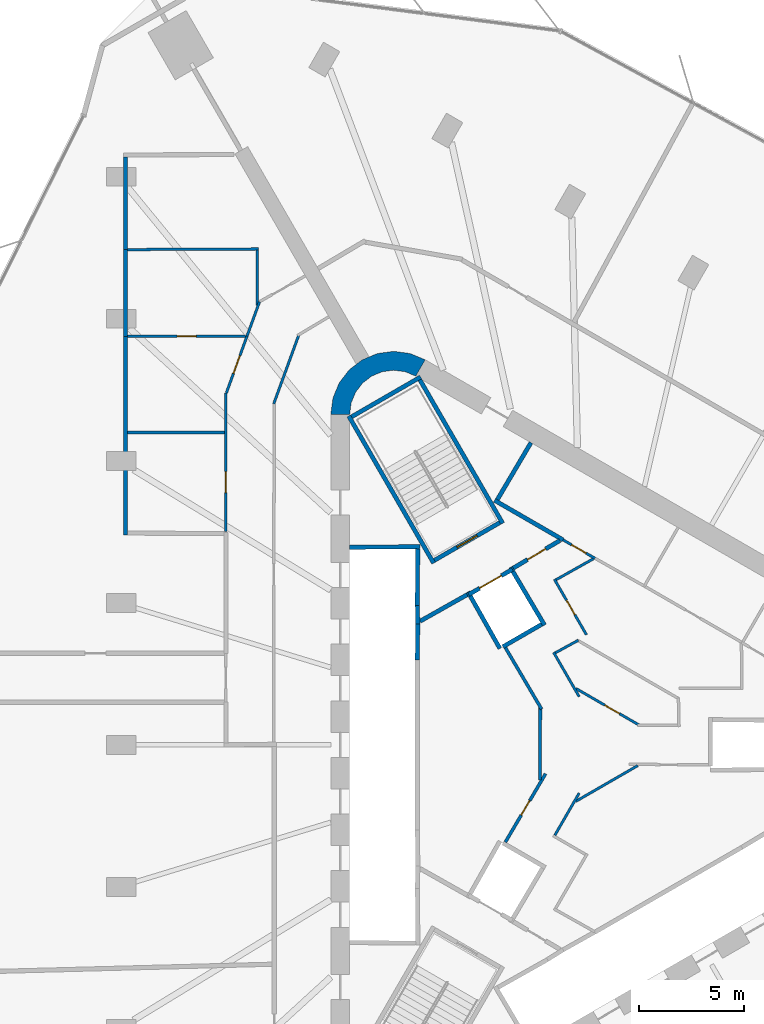
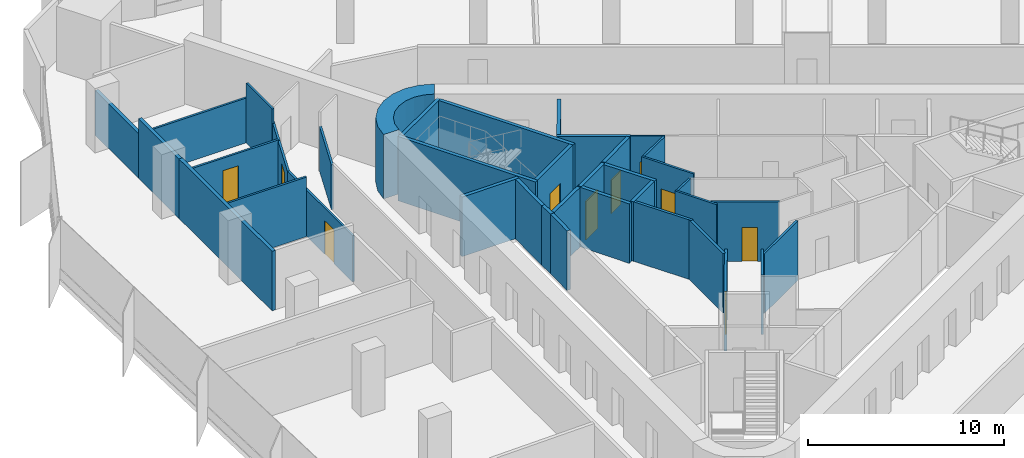
# One storey, part 10 of 14: 39 walls, 10 doors, 10 openings.
"""IFC4 building model written with IfcOpenShell, lengths in metres."""

from ifc_helpers import new_model, si_unit, direction, frame, frame_2d, origin, place, context, subcontext, project, spatial, polyline, rectangle, outline, extrude, material, layer, layer_set, type_object, element, fill, save


model = new_model("IFC4")

# Units and contexts
model_context = context("Model", 3, precision=1e-05, world=origin(), true_north=direction((0.0, 1.0)))
body_context = subcontext(model_context, "Body", "Model", "MODEL_VIEW")
ifc_project = project(units=[si_unit("LENGTHUNIT", "METRE"), si_unit("AREAUNIT", "SQUARE_METRE"), si_unit("VOLUMEUNIT", "CUBIC_METRE"), si_unit("PLANEANGLEUNIT", "RADIAN"), si_unit("MASSUNIT", "GRAM", prefix="KILO")], contexts=[model_context])

# Site, building, storey
site_placement = place(None, origin())
site = spatial("IfcSite", under=ifc_project, at=site_placement, CompositionType="ELEMENT")
building_placement = place(site_placement, origin())
building = spatial("IfcBuilding", under=site, at=building_placement, Name="Tanit Gate Tower", CompositionType="ELEMENT")
storey_placement = place(building_placement, frame((0.0, 0.0, 217.199951171875)))
storey = spatial("IfcBuildingStorey", under=building, at=storey_placement, Name="L48", CompositionType="ELEMENT", Elevation=217.199951171875)

# Walls
ifc_material_1 = material(Name="Concrete C50/60", Category="concrete")
ifc_layer_1 = layer(ifc_material_1, 0.89990234375)
ifc_layer_set_1 = layer_set([ifc_layer_1], Name="CORE WALL 900 C50/60")
wall_type_1 = type_object("IfcWallType", Name="CORE WALL 900 C50/60", PredefinedType="SHEAR", material=ifc_layer_set_1)
wall_1_placement = place(storey_placement, origin())
element("IfcWall", 1, at=wall_1_placement, inside=storey, type_object=wall_type_1, Name="CORE WALL CORNER", PredefinedType="SHEAR", context=body_context, shape_type="SweptSolid", body=[
    extrude(outline(polyline([(-7.60009765625, 18.359619140625), (-8.323486328125, 18.659423828125), (-9.10009765625, 18.76171875), (-9.87646484375, 18.659423828125), (-10.60009765625, 18.359619140625), (-11.22119140625, 17.883056640625), (-11.697998046875, 17.26171875), (-11.997802734375, 16.5380859375), (-12.10009765625, 15.76171875), (-11.199951171875, 15.76171875), (-11.12841796875, 16.30517578125), (-10.918701171875, 16.811767578125), (-10.5849609375, 17.24658203125), (-10.14990234375, 17.580322265625), (-9.6435546875, 17.7900390625), (-9.10009765625, 17.86181640625), (-8.556396484375, 17.7900390625), (-8.050048828125, 17.580322265625), (-7.60009765625, 18.359619140625)])), origin(), (0.0, 0.0, 1.0), 4.0),
])
ifc_material_2 = material(Name="Fire-rated gypsum board partition")
ifc_layer_2 = layer(ifc_material_2, 0.199951171875)
ifc_layer_set_2 = layer_set([ifc_layer_2], Name="INT-WALL-COMPARTMENT")
wall_type_2 = type_object("IfcWallType", Name="INT-WALL-COMPARTMENT", PredefinedType="PARTITIONING", material=ifc_layer_set_2)
wall_2_placement = place(storey_placement, frame((-4.295654296875, 11.659912109375, 0.0), z_axis=(0.0, 0.0, 1.0), x_axis=(0.866027389382, -0.499996560828, 0.0)))
element("IfcWall", 2, at=wall_2_placement, inside=storey, type_object=wall_type_2, Name="Wall Compartment W054", PredefinedType="PARTITIONING", context=body_context, shape_type="SweptSolid", body=[
    extrude(rectangle(XDim=3.77783203125, YDim=0.199951171875, at=frame_2d((1.888916015625, 0.0))), origin(), (0.0, 0.0, 1.0), 3.699951171875),
])
wall_3_placement = place(storey_placement, frame((-2.557861328125, 14.409423828125, 0.0), z_axis=(0.0, 0.0, 1.0), x_axis=(-0.508018930956, -0.861345903683, 0.0)))
element("IfcWall", 3, at=wall_3_placement, inside=storey, type_object=wall_type_2, Name="Wall Compartment W055", PredefinedType="PARTITIONING", context=body_context, shape_type="SweptSolid", body=[
    extrude(rectangle(XDim=3.150146484375, YDim=0.199951171875, at=frame_2d((1.5751953125, 0.0))), origin(), (0.0, 0.0, 1.0), 3.699951171875),
])
wall_4_placement = place(storey_placement, frame((-5.600341796875, 7.16015625, 0.0), z_axis=(0.0, 0.0, 1.0), x_axis=(-0.871340486379, -0.490678873396, 0.0)))
element("IfcWall", 4, at=wall_4_placement, inside=storey, type_object=wall_type_2, Name="Wall Compartment W062", PredefinedType="PARTITIONING", context=body_context, shape_type="SweptSolid", body=[
    extrude(rectangle(XDim=2.580810546875, YDim=0.199951171875, at=frame_2d((1.29052734375, 0.0))), origin(), (0.0, 0.0, 1.0), 3.699951171875),
])

# Wall, opening, door
wall_5_placement = place(storey_placement, frame((-1.1787109375, 9.744873046875, 0.0), z_axis=(0.0, 0.0, 1.0), x_axis=(-0.860630814782, -0.509229418482, 0.0)))
wall_5 = element("IfcWall", 5, at=wall_5_placement, inside=storey, type_object=wall_type_2, Name="Wall Compartment W063", PredefinedType="PARTITIONING", context=body_context, shape_type="SweptSolid", body=[
    extrude(rectangle(XDim=2.581787109375, YDim=0.199951171875, at=frame_2d((1.291015625, 0.0))), origin(), (0.0, 0.0, 1.0), 3.699951171875),
])
opening_1_placement = place(wall_5_placement, frame((0.791015625, 0.0, 0.0)))
opening_1 = element("IfcOpeningElement", 6, at=opening_1_placement, cuts=wall_5, Name="Opening F10-S13-05", PredefinedType="OPENING", context=body_context, shape_type="SweptSolid", body=[
    extrude(rectangle(XDim=1.0, YDim=2.10009765625, at=frame_2d((0.5, 1.050048828125))), frame((0.0, 0.10986328125, 0.0), z_axis=(0.0, -1.0, 0.0), x_axis=(1.0, 0.0, 0.0)), (0.0, 0.0, 1.0), 0.219970703125),
])
ifc_material_3 = material(Name="Fire-rated steel door leaf", Category="steel")
door_type_1 = type_object("IfcDoorType", Name="INT-DOOR-FIRE-1000", OperationType="NOTDEFINED", PredefinedType="USERDEFINED", material=ifc_material_3)
door_1_placement = place(opening_1_placement, origin())
door_1 = element("IfcDoor", 7, at=door_1_placement, inside=storey, type_object=door_type_1, Name="Door F10-S13-05", ObjectType="FIRE DOOR", OperationType="SINGLE_SWING_LEFT", OverallHeight=2.10009765625, OverallWidth=1.0, PredefinedType="USERDEFINED", context=body_context, shape_type="SweptSolid", body=[
    extrude(rectangle(XDim=1.0, YDim=2.10009765625, at=frame_2d((0.5, 1.050048828125))), frame((0.0, 0.02490234375, 0.0), z_axis=(0.0, -1.0, 0.0), x_axis=(1.0, 0.0, 0.0)), (0.0, 0.0, 1.0), 0.050048828125),
])
fill(opening_1, door_1)

# Walls
wall_6_placement = place(storey_placement, frame((-21.889892578125, 10.0, 0.0), z_axis=(0.0, 0.0, 1.0), x_axis=(0.0, 1.0, 0.0)))
element("IfcWall", 8, at=wall_6_placement, inside=storey, type_object=wall_type_2, Name="Wall Compartment W123", PredefinedType="PARTITIONING", context=body_context, shape_type="SweptSolid", body=[
    extrude(rectangle(XDim=9.478271484375, YDim=0.199951171875, at=frame_2d((4.7392578125, 0.0))), origin(), (0.0, 0.0, 1.0), 3.699951171875),
])
wall_7_placement = place(storey_placement, frame((-21.889892578125, 19.478271484375, 0.0), z_axis=(0.0, 0.0, 1.0), x_axis=(0.0, 1.0, 0.0)))
element("IfcWall", 9, at=wall_7_placement, inside=storey, type_object=wall_type_2, Name="Wall Compartment W126", PredefinedType="PARTITIONING", context=body_context, shape_type="SweptSolid", body=[
    extrude(rectangle(XDim=4.133544921875, YDim=0.199951171875, at=frame_2d((2.06689453125, 0.0))), origin(), (0.0, 0.0, 1.0), 3.699951171875),
])
wall_8_placement = place(storey_placement, frame((-21.889892578125, 23.61181640625, 0.0), z_axis=(0.0, 0.0, 1.0), x_axis=(0.0, 1.0, 0.0)))
element("IfcWall", 10, at=wall_8_placement, inside=storey, type_object=wall_type_2, Name="Wall Compartment W128", PredefinedType="PARTITIONING", context=body_context, shape_type="SweptSolid", body=[
    extrude(rectangle(XDim=4.408203125, YDim=0.199951171875, at=frame_2d((2.2041015625, 0.0))), origin(), (0.0, 0.0, 1.0), 2.780029296875),
])

# Wall, opening, door
ifc_material_4 = material(Name="Gypsum board partition")
ifc_layer_3 = layer(ifc_material_4, 0.1201171875)
ifc_layer_set_3 = layer_set([ifc_layer_3], Name="INT-WALL-PARTITION")
wall_type_3 = type_object("IfcWallType", Name="INT-WALL-PARTITION", PredefinedType="PARTITIONING", material=ifc_layer_set_3)
wall_9_placement = place(storey_placement, frame((-1.02392578125, 9.77099609375, 0.0), z_axis=(0.0, 0.0, 1.0), x_axis=(0.866039397417, -0.499975761534, 0.0)))
wall_9 = element("IfcWall", 11, at=wall_9_placement, inside=storey, type_object=wall_type_3, Name="Wall Partition W057", PredefinedType="PARTITIONING", context=body_context, shape_type="SweptSolid", body=[
    extrude(rectangle(XDim=1.751953125, YDim=0.1201171875, at=frame_2d((0.8759765625, 0.0))), origin(), (0.0, 0.0, 1.0), 3.699951171875),
])
opening_2_placement = place(wall_9_placement, frame((0.4658203125, 0.0, 0.0)))
opening_2 = element("IfcOpeningElement", 12, at=opening_2_placement, cuts=wall_9, Name="Opening R08-S13-16", PredefinedType="OPENING", context=body_context, shape_type="SweptSolid", body=[
    extrude(rectangle(XDim=0.800048828125, YDim=2.10009765625, at=frame_2d((0.39990234375, 1.050048828125))), frame((0.0, 0.070068359375, 0.0), z_axis=(0.0, -1.0, 0.0), x_axis=(1.0, 0.0, 0.0)), (0.0, 0.0, 1.0), 0.14013671875),
])
ifc_material_5 = material(Name="Timber door leaf", Category="wood")
door_type_2 = type_object("IfcDoorType", Name="INT-DOOR-RISER-800", OperationType="NOTDEFINED", PredefinedType="USERDEFINED", material=ifc_material_5)
door_2_placement = place(opening_2_placement, origin())
door_2 = element("IfcDoor", 13, at=door_2_placement, inside=storey, type_object=door_type_2, Name="Door R08-S13-16", ObjectType="FIRE DOOR", OperationType="SINGLE_SWING_RIGHT", OverallHeight=2.10009765625, OverallWidth=0.800048828125, PredefinedType="USERDEFINED", context=body_context, shape_type="SweptSolid", body=[
    extrude(rectangle(XDim=0.800048828125, YDim=2.10009765625, at=frame_2d((0.39990234375, 1.050048828125))), frame((0.0, 0.02490234375, 0.0), z_axis=(0.0, -1.0, 0.0), x_axis=(1.0, 0.0, 0.0)), (0.0, 0.0, 1.0), 0.050048828125),
])
fill(opening_2, door_2)

# Walls
wall_10_placement = place(storey_placement, frame((-0.259765625, -2.300048828125, 0.0), z_axis=(0.0, 0.0, 1.0), x_axis=(-0.500035443578, -0.866004939458, 0.0)))
element("IfcWall", 14, at=wall_10_placement, inside=storey, type_object=wall_type_3, Name="Wall Partition W072", PredefinedType="PARTITIONING", context=body_context, shape_type="SweptSolid", body=[
    extrude(rectangle(XDim=2.318115234375, YDim=0.1201171875, at=frame_2d((1.1591796875, 0.0))), origin(), (0.0, 0.0, 1.0), 3.699951171875),
])
wall_11_placement = place(storey_placement, frame((2.531982421875, -0.988037109375, 0.0), z_axis=(0.0, 0.0, 1.0), x_axis=(-0.866023141178, -0.500003918929, 0.0)))
element("IfcWall", 15, at=wall_11_placement, inside=storey, type_object=wall_type_3, Name="Wall Partition W073", PredefinedType="PARTITIONING", context=body_context, shape_type="SweptSolid", body=[
    extrude(rectangle(XDim=3.40380859375, YDim=0.1201171875, at=frame_2d((1.701904296875, 0.0))), origin(), (0.0, 0.0, 1.0), 3.699951171875),
])

# Wall, opening, door
wall_12_placement = place(storey_placement, frame((-0.416259765625, 2.69091796875, 0.0), z_axis=(0.0, 0.0, 1.0), x_axis=(0.865413570885, -0.501058231473, 0.0)))
wall_12 = element("IfcWall", 16, at=wall_12_placement, inside=storey, type_object=wall_type_3, Name="Wall Partition W078", PredefinedType="PARTITIONING", context=body_context, shape_type="SweptSolid", body=[
    extrude(rectangle(XDim=3.505859375, YDim=0.1201171875, at=frame_2d((1.7529296875, 0.0))), origin(), (0.0, 0.0, 1.0), 3.699951171875),
])
opening_3_placement = place(wall_12_placement, frame((1.593505859375, 0.0, 0.0)))
opening_3 = element("IfcOpeningElement", 17, at=opening_3_placement, cuts=wall_12, Name="Opening R08-S13-12", PredefinedType="OPENING", context=body_context, shape_type="SweptSolid", body=[
    extrude(rectangle(XDim=0.800048828125, YDim=2.10009765625, at=frame_2d((0.39990234375, 1.050048828125))), frame((0.0, 0.070068359375, 0.0), z_axis=(0.0, -1.0, 0.0), x_axis=(1.0, 0.0, 0.0)), (0.0, 0.0, 1.0), 0.14013671875),
])
door_3_placement = place(opening_3_placement, origin())
door_3 = element("IfcDoor", 18, at=door_3_placement, inside=storey, type_object=door_type_2, Name="Door R08-S13-12", ObjectType="FIRE DOOR", OperationType="SINGLE_SWING_RIGHT", OverallHeight=2.10009765625, OverallWidth=0.800048828125, PredefinedType="USERDEFINED", context=body_context, shape_type="SweptSolid", body=[
    extrude(rectangle(XDim=0.800048828125, YDim=2.10009765625, at=frame_2d((0.39990234375, 1.050048828125))), frame((0.0, 0.02490234375, 0.0), z_axis=(0.0, -1.0, 0.0), x_axis=(1.0, 0.0, 0.0)), (0.0, 0.0, 1.0), 0.050048828125),
])
fill(opening_3, door_3)

# Walls
wall_13_placement = place(storey_placement, frame((-1.47900390625, 4.41162109375, 0.0), z_axis=(0.0, 0.0, 1.0), x_axis=(0.50003736129, -0.866003832159, 0.0)))
element("IfcWall", 19, at=wall_13_placement, inside=storey, type_object=wall_type_3, Name="Wall Partition W079", PredefinedType="PARTITIONING", context=body_context, shape_type="SweptSolid", body=[
    extrude(rectangle(XDim=2.438232421875, YDim=0.1201171875, at=frame_2d((1.21923828125, 0.0))), origin(), (0.0, 0.0, 1.0), 3.699951171875),
])
wall_14_placement = place(storey_placement, frame((-0.295166015625, 4.99169921875, 0.0), z_axis=(0.0, 0.0, 1.0), x_axis=(-0.87699482268, -0.480499824134, 0.0)))
element("IfcWall", 20, at=wall_14_placement, inside=storey, type_object=wall_type_3, Name="Wall Partition W080", PredefinedType="PARTITIONING", context=body_context, shape_type="SweptSolid", body=[
    extrude(rectangle(XDim=1.255615234375, YDim=0.1201171875, at=frame_2d((0.6279296875, 0.0))), origin(), (0.0, 0.0, 1.0), 3.699951171875),
])

# Wall, opening, door
wall_15_placement = place(storey_placement, frame((-1.441650390625, 7.897216796875, 0.0), z_axis=(0.0, 0.0, 1.0), x_axis=(0.499991792115, -0.866030142557, 0.0)))
wall_15 = element("IfcWall", 21, at=wall_15_placement, inside=storey, type_object=wall_type_3, Name="Wall Partition W081", PredefinedType="PARTITIONING", context=body_context, shape_type="SweptSolid", body=[
    extrude(rectangle(XDim=3.06005859375, YDim=0.1201171875, at=frame_2d((1.530029296875, 0.0))), origin(), (0.0, 0.0, 1.0), 3.699951171875),
])
opening_4_placement = place(wall_15_placement, frame((1.159912109375, 0.0, 0.0)))
opening_4 = element("IfcOpeningElement", 22, at=opening_4_placement, cuts=wall_15, Name="Opening R08-S13-13", PredefinedType="OPENING", context=body_context, shape_type="SweptSolid", body=[
    extrude(rectangle(XDim=0.800048828125, YDim=2.10009765625, at=frame_2d((0.39990234375, 1.050048828125))), frame((0.0, 0.070068359375, 0.0), z_axis=(0.0, -1.0, 0.0), x_axis=(1.0, 0.0, 0.0)), (0.0, 0.0, 1.0), 0.14013671875),
])
door_4_placement = place(opening_4_placement, origin())
door_4 = element("IfcDoor", 23, at=door_4_placement, inside=storey, type_object=door_type_2, Name="Door R08-S13-13", ObjectType="FIRE DOOR", OperationType="SINGLE_SWING_LEFT", OverallHeight=2.10009765625, OverallWidth=0.800048828125, PredefinedType="USERDEFINED", context=body_context, shape_type="SweptSolid", body=[
    extrude(rectangle(XDim=0.800048828125, YDim=2.10009765625, at=frame_2d((0.39990234375, 1.050048828125))), frame((0.0, 0.02490234375, 0.0), z_axis=(0.0, -1.0, 0.0), x_axis=(1.0, 0.0, 0.0)), (0.0, 0.0, 1.0), 0.050048828125),
])
fill(opening_4, door_4)

# Walls
wall_16_placement = place(storey_placement, frame((0.414306640625, 8.87109375, 0.0), z_axis=(0.0, 0.0, 1.0), x_axis=(-0.871809386997, -0.48984527429, 0.0)))
element("IfcWall", 24, at=wall_16_placement, inside=storey, type_object=wall_type_3, Name="Wall Partition W082", PredefinedType="PARTITIONING", context=body_context, shape_type="SweptSolid", body=[
    extrude(rectangle(XDim=2.034423828125, YDim=0.1201171875, at=frame_2d((1.01708984375, 0.0))), origin(), (0.0, 0.0, 1.0), 3.699951171875),
])
wall_17_placement = place(storey_placement, frame((-13.630615234375, 19.529541015625, 0.0), z_axis=(0.0, 0.0, 1.0), x_axis=(-0.342069878069, -0.939674517329, 0.0)))
element("IfcWall", 25, at=wall_17_placement, inside=storey, type_object=wall_type_3, Name="Wall Partition W086", PredefinedType="PARTITIONING", context=body_context, shape_type="SweptSolid", body=[
    extrude(rectangle(XDim=3.478759765625, YDim=0.1201171875, at=frame_2d((1.7392578125, 0.0))), origin(), (0.0, 0.0, 1.0), 2.780029296875),
])

# Wall, opening, door
wall_18_placement = place(storey_placement, frame((-17.10009765625, 16.78271484375, 0.0), z_axis=(0.0, 0.0, 1.0), x_axis=(0.0, -1.0, 0.0)))
wall_18 = element("IfcWall", 26, at=wall_18_placement, inside=storey, type_object=wall_type_3, Name="Wall Partition W093", PredefinedType="PARTITIONING", context=body_context, shape_type="SweptSolid", body=[
    extrude(rectangle(XDim=6.61279296875, YDim=0.1201171875, at=frame_2d((3.306396484375, 0.0))), origin(), (0.0, 0.0, 1.0), 2.880126953125),
])
opening_5_placement = place(wall_18_placement, frame((3.75146484375, 0.0, 0.0)))
opening_5 = element("IfcOpeningElement", 27, at=opening_5_placement, cuts=wall_18, Name="Opening D10-S13-22", PredefinedType="OPENING", context=body_context, shape_type="SweptSolid", body=[
    extrude(rectangle(XDim=1.0, YDim=2.10009765625, at=frame_2d((0.5, 1.050048828125))), frame((0.0, 0.070068359375, 0.0), z_axis=(0.0, -1.0, 0.0), x_axis=(1.0, 0.0, 0.0)), (0.0, 0.0, 1.0), 0.14013671875),
])
ifc_material_6 = material(Name="Timber door leaf", Category="wood")
door_type_3 = type_object("IfcDoorType", Name="INT-DOOR-SINGLE-1000", OperationType="NOTDEFINED", PredefinedType="NOTDEFINED", material=ifc_material_6)
door_5_placement = place(opening_5_placement, origin())
door_5 = element("IfcDoor", 28, at=door_5_placement, inside=storey, type_object=door_type_3, Name="Door D10-S13-22", OperationType="SINGLE_SWING_RIGHT", OverallHeight=2.10009765625, OverallWidth=1.0, PredefinedType="NOTDEFINED", context=body_context, shape_type="SweptSolid", body=[
    extrude(rectangle(XDim=1.0, YDim=2.10009765625, at=frame_2d((0.5, 1.050048828125))), frame((0.0, 0.02490234375, 0.0), z_axis=(0.0, -1.0, 0.0), x_axis=(1.0, 0.0, 0.0)), (0.0, 0.0, 1.0), 0.050048828125),
])
fill(opening_5, door_5)

# Wall
wall_19_placement = place(storey_placement, frame((-15.496337890625, 21.12890625, 0.0), z_axis=(0.0, 0.0, 1.0), x_axis=(-0.342023613346, -0.939691357795, 0.0)))
element("IfcWall", 29, at=wall_19_placement, inside=storey, type_object=wall_type_3, Name="Wall Partition W095", PredefinedType="PARTITIONING", context=body_context, shape_type="SweptSolid", body=[
    extrude(rectangle(XDim=1.74658203125, YDim=0.1201171875, at=frame_2d((0.873291015625, 0.0))), origin(), (0.0, 0.0, 1.0), 2.780029296875),
])

# Wall, opening, door
wall_20_placement = place(storey_placement, frame((-16.09375, 19.487548828125, 0.0), z_axis=(0.0, 0.0, 1.0), x_axis=(-0.342028686382, -0.939689511324, 0.0)))
wall_20 = element("IfcWall", 30, at=wall_20_placement, inside=storey, type_object=wall_type_3, Name="Wall Partition W094", PredefinedType="PARTITIONING", context=body_context, shape_type="SweptSolid", body=[
    extrude(rectangle(XDim=2.88232421875, YDim=0.1201171875, at=frame_2d((1.441162109375, 0.0))), origin(), (0.0, 0.0, 1.0), 2.780029296875),
])
opening_6_placement = place(wall_20_placement, frame((0.9912109375, 0.0, 0.0)))
opening_6 = element("IfcOpeningElement", 31, at=opening_6_placement, cuts=wall_20, Name="Opening D09-S13-23", PredefinedType="OPENING", context=body_context, shape_type="SweptSolid", body=[
    extrude(rectangle(XDim=0.89990234375, YDim=2.10009765625, at=frame_2d((0.449951171875, 1.050048828125))), frame((0.0, 0.070068359375, 0.0), z_axis=(0.0, -1.0, 0.0), x_axis=(1.0, 0.0, 0.0)), (0.0, 0.0, 1.0), 0.14013671875),
])
ifc_material_7 = material(Name="Timber door leaf", Category="wood")
door_type_4 = type_object("IfcDoorType", Name="INT-DOOR-SINGLE-900", OperationType="NOTDEFINED", PredefinedType="NOTDEFINED", material=ifc_material_7)
door_6_placement = place(opening_6_placement, origin())
door_6 = element("IfcDoor", 32, at=door_6_placement, inside=storey, type_object=door_type_4, Name="Door D09-S13-23", OperationType="SINGLE_SWING_LEFT", OverallHeight=2.10009765625, OverallWidth=0.89990234375, PredefinedType="NOTDEFINED", context=body_context, shape_type="SweptSolid", body=[
    extrude(rectangle(XDim=0.89990234375, YDim=2.10009765625, at=frame_2d((0.449951171875, 1.050048828125))), frame((0.0, 0.02490234375, 0.0), z_axis=(0.0, -1.0, 0.0), x_axis=(1.0, 0.0, 0.0)), (0.0, 0.0, 1.0), 0.050048828125),
])
fill(opening_6, door_6)

# Wall
wall_21_placement = place(storey_placement, frame((-21.7900390625, 14.892333984375, 0.0), z_axis=(0.0, 0.0, 1.0), x_axis=(1.0, 0.0, 0.0)))
element("IfcWall", 33, at=wall_21_placement, inside=storey, type_object=wall_type_3, Name="Wall Partition W136", PredefinedType="PARTITIONING", context=body_context, shape_type="SweptSolid", body=[
    extrude(rectangle(XDim=4.630126953125, YDim=0.1201171875, at=frame_2d((2.31494140625, 0.0))), origin(), (0.0, 0.0, 1.0), 3.699951171875),
])

# Wall, opening, door
wall_22_placement = place(storey_placement, frame((-21.7900390625, 19.478271484375, 0.0), z_axis=(0.0, 0.0, 1.0), x_axis=(1.0, 0.0, 0.0)))
wall_22 = element("IfcWall", 34, at=wall_22_placement, inside=storey, type_object=wall_type_3, Name="Wall Partition W137", PredefinedType="PARTITIONING", context=body_context, shape_type="SweptSolid", body=[
    extrude(rectangle(XDim=5.629150390625, YDim=0.1201171875, at=frame_2d((2.814453125, 0.0))), origin(), (0.0, 0.0, 1.0), 2.880126953125),
])
opening_7_placement = place(wall_22_placement, frame((2.364501953125, 0.0, 0.0)))
opening_7 = element("IfcOpeningElement", 35, at=opening_7_placement, cuts=wall_22, Name="Opening D09-S13-24", PredefinedType="OPENING", context=body_context, shape_type="SweptSolid", body=[
    extrude(rectangle(XDim=0.89990234375, YDim=2.10009765625, at=frame_2d((0.449951171875, 1.050048828125))), frame((0.0, 0.070068359375, 0.0), z_axis=(0.0, -1.0, 0.0), x_axis=(1.0, 0.0, 0.0)), (0.0, 0.0, 1.0), 0.14013671875),
])
door_7_placement = place(opening_7_placement, origin())
door_7 = element("IfcDoor", 36, at=door_7_placement, inside=storey, type_object=door_type_4, Name="Door D09-S13-24", OperationType="SINGLE_SWING_LEFT", OverallHeight=2.10009765625, OverallWidth=0.89990234375, PredefinedType="NOTDEFINED", context=body_context, shape_type="SweptSolid", body=[
    extrude(rectangle(XDim=0.89990234375, YDim=2.10009765625, at=frame_2d((0.449951171875, 1.050048828125))), frame((0.0, 0.02490234375, 0.0), z_axis=(0.0, -1.0, 0.0), x_axis=(1.0, 0.0, 0.0)), (0.0, 0.0, 1.0), 0.050048828125),
])
fill(opening_7, door_7)

# Walls
wall_23_placement = place(storey_placement, frame((-21.7900390625, 23.6123046875, 0.0), z_axis=(0.0, 0.0, 1.0), x_axis=(0.999988644603, 0.004765570884, 0.0)))
element("IfcWall", 37, at=wall_23_placement, inside=storey, type_object=wall_type_3, Name="Wall Partition W138", PredefinedType="PARTITIONING", context=body_context, shape_type="SweptSolid", body=[
    extrude(rectangle(XDim=6.25, YDim=0.1201171875, at=frame_2d((3.125, 0.0))), origin(), (0.0, 0.0, 1.0), 2.780029296875),
])
wall_24_placement = place(storey_placement, frame((-15.60498046875, 20.93896484375, 0.0), z_axis=(0.0, 0.0, 1.0), x_axis=(0.001847571904, 0.999998293238, 0.0)))
element("IfcWall", 38, at=wall_24_placement, inside=storey, type_object=wall_type_3, Name="Wall Partition W139", PredefinedType="PARTITIONING", context=body_context, shape_type="SweptSolid", body=[
    extrude(rectangle(XDim=2.642822265625, YDim=0.1201171875, at=frame_2d((1.3212890625, 0.0))), origin(), (0.0, 0.0, 1.0), 3.699951171875),
])
ifc_material_8 = material(Name="Fire-rated gypsum board partition")
ifc_layer_4 = layer(ifc_material_8, 0.14990234375)
ifc_layer_set_4 = layer_set([ifc_layer_4], Name="INT-WALL-RISER")
wall_type_4 = type_object("IfcWallType", Name="INT-WALL-RISER", PredefinedType="PLUMBINGWALL", material=ifc_layer_set_4)
wall_25_placement = place(storey_placement, frame((-2.053466796875, 1.708984375, 0.0), z_axis=(0.0, 0.0, 1.0), x_axis=(-0.507570243425, 0.861610380618, 0.0)))
element("IfcWall", 39, at=wall_25_placement, inside=storey, type_object=wall_type_4, Name="Wall Riser W066", PredefinedType="PLUMBINGWALL", context=body_context, shape_type="SweptSolid", body=[
    extrude(rectangle(XDim=3.3935546875, YDim=0.14990234375, at=frame_2d((1.69677734375, 0.0))), origin(), (0.0, 0.0, 1.0), 3.699951171875),
])
wall_26_placement = place(storey_placement, frame((-2.122314453125, -1.670166015625, 0.0), z_axis=(0.0, 0.0, 1.0), x_axis=(0.00126831916, 0.999999195683, 0.0)))
element("IfcWall", 40, at=wall_26_placement, inside=storey, type_object=wall_type_4, Name="Wall Riser W067", PredefinedType="PLUMBINGWALL", context=body_context, shape_type="SweptSolid", body=[
    extrude(rectangle(XDim=3.46484375, YDim=0.14990234375, at=frame_2d((1.732421875, 0.0))), origin(), (0.0, 0.0, 1.0), 3.699951171875),
])

# Wall, opening, door
wall_27_placement = place(storey_placement, frame((-3.77587890625, -4.632568359375, 0.0), z_axis=(0.0, 0.0, 1.0), x_axis=(0.506548448152, 0.862211499387, 0.0)))
wall_27 = element("IfcWall", 41, at=wall_27_placement, inside=storey, type_object=wall_type_4, Name="Wall Riser W068", PredefinedType="PLUMBINGWALL", context=body_context, shape_type="SweptSolid", body=[
    extrude(rectangle(XDim=3.778076171875, YDim=0.14990234375, at=frame_2d((1.88916015625, 0.0))), origin(), (0.0, 0.0, 1.0), 3.699951171875),
])
opening_8_placement = place(wall_27_placement, frame((1.4892578125, 0.0, 0.0)))
opening_8 = element("IfcOpeningElement", 42, at=opening_8_placement, cuts=wall_27, Name="Opening R08-S13-10", PredefinedType="OPENING", context=body_context, shape_type="SweptSolid", body=[
    extrude(rectangle(XDim=0.800048828125, YDim=2.10009765625, at=frame_2d((0.39990234375, 1.050048828125))), frame((0.0, 0.0849609375, 0.0), z_axis=(0.0, -1.0, 0.0), x_axis=(1.0, 0.0, 0.0)), (0.0, 0.0, 1.0), 0.169921875),
])
door_8_placement = place(opening_8_placement, origin())
door_8 = element("IfcDoor", 43, at=door_8_placement, inside=storey, type_object=door_type_2, Name="Door R08-S13-10", ObjectType="FIRE DOOR", OperationType="SINGLE_SWING_LEFT", OverallHeight=2.10009765625, OverallWidth=0.800048828125, PredefinedType="USERDEFINED", context=body_context, shape_type="SweptSolid", body=[
    extrude(rectangle(XDim=0.800048828125, YDim=2.10009765625, at=frame_2d((0.39990234375, 1.050048828125))), frame((0.0, 0.02490234375, 0.0), z_axis=(0.0, -1.0, 0.0), x_axis=(1.0, 0.0, 0.0)), (0.0, 0.0, 1.0), 0.050048828125),
])
fill(opening_8, door_8)

# Walls
ifc_material_9 = material(Name="Gypsum shaft wall system")
ifc_layer_5 = layer(ifc_material_9, 0.199951171875)
ifc_layer_set_5 = layer_set([ifc_layer_5], Name="INT-WALL-SHAFT")
wall_type_5 = type_object("IfcWallType", Name="INT-WALL-SHAFT", PredefinedType="PLUMBINGWALL", material=ifc_layer_set_5)
wall_28_placement = place(storey_placement, frame((-11.199951171875, 9.419921875, 0.0), z_axis=(0.0, 0.0, 1.0), x_axis=(0.999957167047, 0.009255488683, 0.0)))
element("IfcWall", 44, at=wall_28_placement, inside=storey, type_object=wall_type_5, Name="Wall Shaft W001", PredefinedType="PLUMBINGWALL", context=body_context, shape_type="SweptSolid", body=[
    extrude(rectangle(XDim=3.35009765625, YDim=0.199951171875, at=frame_2d((1.675048828125, 0.0))), origin(), (0.0, 0.0, 1.0), 3.699951171875),
])
wall_29_placement = place(storey_placement, frame((-7.951171875, 9.35009765625, 0.0), z_axis=(0.0, 0.0, 1.0), x_axis=(-0.011120469654, -0.999938165666, 0.0)))
element("IfcWall", 45, at=wall_29_placement, inside=storey, type_object=wall_type_5, Name="Wall Shaft W002", PredefinedType="PLUMBINGWALL", context=body_context, shape_type="SweptSolid", body=[
    extrude(rectangle(XDim=2.700439453125, YDim=0.199951171875, at=frame_2d((1.35009765625, 0.0))), origin(), (0.0, 0.0, 1.0), 3.699951171875),
])
wall_30_placement = place(storey_placement, frame((-7.97705078125, 6.650146484375, 0.0), z_axis=(0.0, 0.0, 1.0), x_axis=(0.030861509705, -0.999523670164, 0.0)))
element("IfcWall", 46, at=wall_30_placement, inside=storey, type_object=wall_type_5, Name="Wall Shaft W003", PredefinedType="PLUMBINGWALL", context=body_context, shape_type="SweptSolid", body=[
    extrude(rectangle(XDim=0.878173828125, YDim=0.199951171875, at=frame_2d((0.43896484375, 0.0))), origin(), (0.0, 0.0, 1.0), 3.699951171875),
])
wall_31_placement = place(storey_placement, frame((-7.948974609375, 5.894287109375, 0.0), z_axis=(0.0, 0.0, 1.0), x_axis=(-0.016809909365, -0.999858703491, 0.0)))
element("IfcWall", 47, at=wall_31_placement, inside=storey, type_object=wall_type_5, Name="Wall Shaft W004", PredefinedType="PLUMBINGWALL", context=body_context, shape_type="SweptSolid", body=[
    extrude(rectangle(XDim=1.844482421875, YDim=0.199951171875, at=frame_2d((0.92236328125, 0.0))), origin(), (0.0, 0.0, 1.0), 3.699951171875),
])

# Wall, opening, door
wall_32_placement = place(storey_placement, frame((-5.524169921875, 7.168212890625, 0.0), z_axis=(0.0, 0.0, 1.0), x_axis=(0.866024647952, 0.500001309137, 0.0)))
wall_32 = element("IfcWall", 48, at=wall_32_placement, inside=storey, type_object=wall_type_5, Name="Wall Shaft W037", PredefinedType="PLUMBINGWALL", context=body_context, shape_type="SweptSolid", body=[
    extrude(rectangle(XDim=2.39990234375, YDim=0.199951171875, at=frame_2d((1.199951171875, 0.0))), origin(), (0.0, 0.0, 1.0), 3.699951171875),
])
opening_9_placement = place(wall_32_placement, frame((0.60009765625, 0.0, 0.0)))
opening_9 = element("IfcOpeningElement", 49, at=opening_9_placement, cuts=wall_32, Name="Opening LDFL2-L48", PredefinedType="OPENING", context=body_context, shape_type="SweptSolid", body=[
    extrude(rectangle(XDim=1.199951171875, YDim=2.39990234375, at=frame_2d((0.60009765625, 1.199951171875))), frame((0.0, 0.10986328125, 0.0), z_axis=(0.0, -1.0, 0.0), x_axis=(1.0, 0.0, 0.0)), (0.0, 0.0, 1.0), 0.219970703125),
])
ifc_material_10 = material(Name="Stainless steel sliding door leaf", Category="steel")
door_type_5 = type_object("IfcDoorType", Name="INT-DOOR-LANDING-1200", OperationType="NOTDEFINED", PredefinedType="USERDEFINED", material=ifc_material_10)
door_9_placement = place(opening_9_placement, origin())
door_9 = element("IfcDoor", 50, at=door_9_placement, inside=storey, type_object=door_type_5, Name="Door LDFL2-L48", ObjectType="LANDING DOOR", OperationType="SLIDING_TO_LEFT", OverallHeight=2.39990234375, OverallWidth=1.199951171875, PredefinedType="USERDEFINED", context=body_context, shape_type="SweptSolid", body=[
    extrude(rectangle(XDim=1.199951171875, YDim=2.39990234375, at=frame_2d((0.60009765625, 1.199951171875))), frame((0.0, 0.02490234375, 0.0), z_axis=(0.0, -1.0, 0.0), x_axis=(1.0, 0.0, 0.0)), (0.0, 0.0, 1.0), 0.050048828125),
])
fill(opening_9, door_9)

# Walls
wall_33_placement = place(storey_placement, frame((-4.039306640625, 4.59619140625, 0.0), z_axis=(0.0, 0.0, 1.0), x_axis=(-0.491322718731, 0.870977603649, 0.0)))
element("IfcWall", 51, at=wall_33_placement, inside=storey, type_object=wall_type_5, Name="Wall Shaft W038", PredefinedType="PLUMBINGWALL", context=body_context, shape_type="SweptSolid", body=[
    extrude(rectangle(XDim=3.10009765625, YDim=0.199951171875, at=frame_2d((1.550048828125, 0.0))), origin(), (0.0, 0.0, 1.0), 3.699951171875),
])
wall_34_placement = place(storey_placement, frame((-3.53759765625, 8.46533203125, 0.0), z_axis=(0.0, 0.0, 1.0), x_axis=(0.508616218331, -0.860993346345, 0.0)))
element("IfcWall", 52, at=wall_34_placement, inside=storey, type_object=wall_type_5, Name="Wall Shaft W039", PredefinedType="PLUMBINGWALL", context=body_context, shape_type="SweptSolid", body=[
    extrude(rectangle(XDim=3.2001953125, YDim=0.199951171875, at=frame_2d((1.60009765625, 0.0))), origin(), (0.0, 0.0, 1.0), 3.699951171875),
])
wall_35_placement = place(storey_placement, frame((-2.04736328125, 5.74609375, 0.0), z_axis=(0.0, 0.0, 1.0), x_axis=(-0.866040491692, -0.499973866067, 0.0)))
element("IfcWall", 53, at=wall_35_placement, inside=storey, type_object=wall_type_5, Name="Wall Shaft W040", PredefinedType="PLUMBINGWALL", context=body_context, shape_type="SweptSolid", body=[
    extrude(rectangle(XDim=2.12939453125, YDim=0.199951171875, at=frame_2d((1.064697265625, 0.0))), origin(), (0.0, 0.0, 1.0), 3.699951171875),
])
ifc_material_11 = material(Name="Concrete C40/50", Category="concrete")
ifc_layer_6 = layer(ifc_material_11, 0.199951171875)
ifc_layer_set_6 = layer_set([ifc_layer_6], Name="INT-WALL-STAIR")
wall_type_6 = type_object("IfcWallType", Name="INT-WALL-STAIR", PredefinedType="SHEAR", material=ifc_layer_set_6)
wall_36_placement = place(storey_placement, frame((-11.245361328125, 15.677734375, -0.300048828125), z_axis=(0.0, 0.0, 1.0), x_axis=(0.499977274689, -0.866038523851, 0.0)))
element("IfcWall", 54, at=wall_36_placement, inside=storey, type_object=wall_type_6, Name="Wall Stair W033", PredefinedType="SHEAR", context=body_context, shape_type="SweptSolid", body=[
    extrude(rectangle(XDim=8.10009765625, YDim=0.199951171875, at=frame_2d((4.050048828125, 0.0))), origin(), (0.0, 0.0, 1.0), 4.0),
])
wall_37_placement = place(storey_placement, frame((-7.81787109375, 17.541015625, -0.300048828125), z_axis=(0.0, 0.0, 1.0), x_axis=(-0.866044365799, -0.499967155389, 0.0)))
element("IfcWall", 55, at=wall_37_placement, inside=storey, type_object=wall_type_6, Name="Wall Stair W034", PredefinedType="SHEAR", context=body_context, shape_type="SweptSolid", body=[
    extrude(rectangle(XDim=3.800048828125, YDim=0.199951171875, at=frame_2d((1.89990234375, 0.0))), origin(), (0.0, 0.0, 1.0), 4.0),
])
wall_38_placement = place(storey_placement, frame((-7.8544921875, 17.404541015625, -0.300048828125), z_axis=(0.0, 0.0, 1.0), x_axis=(0.499997992926, -0.866026562566, 0.0)))
element("IfcWall", 56, at=wall_38_placement, inside=storey, type_object=wall_type_6, Name="Wall Stair W035", PredefinedType="SHEAR", context=body_context, shape_type="SweptSolid", body=[
    extrude(rectangle(XDim=7.89990234375, YDim=0.199951171875, at=frame_2d((3.949951171875, 0.0))), origin(), (0.0, 0.0, 1.0), 4.0),
])

# Wall, opening, door
wall_39_placement = place(storey_placement, frame((-7.158935546875, 8.799560546875, -0.300048828125), z_axis=(0.0, 0.0, 1.0), x_axis=(0.866047807691, 0.499961193289, 0.0)))
wall_39 = element("IfcWall", 57, at=wall_39_placement, inside=storey, type_object=wall_type_6, Name="Wall Stair W036", PredefinedType="SHEAR", context=body_context, shape_type="SweptSolid", body=[
    extrude(rectangle(XDim=3.599853515625, YDim=0.199951171875, at=frame_2d((1.7998046875, 0.0))), origin(), (0.0, 0.0, 1.0), 4.0),
])
opening_10_placement = place(wall_39_placement, frame((1.25, 0.0, 0.300048828125)))
opening_10 = element("IfcOpeningElement", 58, at=opening_10_placement, cuts=wall_39, Name="Opening S11-S13-04", PredefinedType="OPENING", context=body_context, shape_type="SweptSolid", body=[
    extrude(rectangle(XDim=1.10009765625, YDim=2.10009765625, at=frame_2d((0.550048828125, 1.050048828125))), frame((0.0, 0.10986328125, 0.0), z_axis=(0.0, -1.0, 0.0), x_axis=(1.0, 0.0, 0.0)), (0.0, 0.0, 1.0), 0.219970703125),
])
ifc_material_12 = material(Name="Timber door leaf", Category="wood")
door_type_6 = type_object("IfcDoorType", Name="INT-DOOR-STAIR-1100", OperationType="NOTDEFINED", PredefinedType="USERDEFINED", material=ifc_material_12)
door_10_placement = place(opening_10_placement, origin())
door_10 = element("IfcDoor", 59, at=door_10_placement, inside=storey, type_object=door_type_6, Name="Door S11-S13-04", ObjectType="FIRE DOOR", OperationType="SINGLE_SWING_LEFT", OverallHeight=2.10009765625, OverallWidth=1.10009765625, PredefinedType="USERDEFINED", context=body_context, shape_type="SweptSolid", body=[
    extrude(rectangle(XDim=1.10009765625, YDim=2.10009765625, at=frame_2d((0.550048828125, 1.050048828125))), frame((0.0, 0.02490234375, 0.0), z_axis=(0.0, -1.0, 0.0), x_axis=(1.0, 0.0, 0.0)), (0.0, 0.0, 1.0), 0.050048828125),
])
fill(opening_10, door_10)

save(model, "model.ifc")
